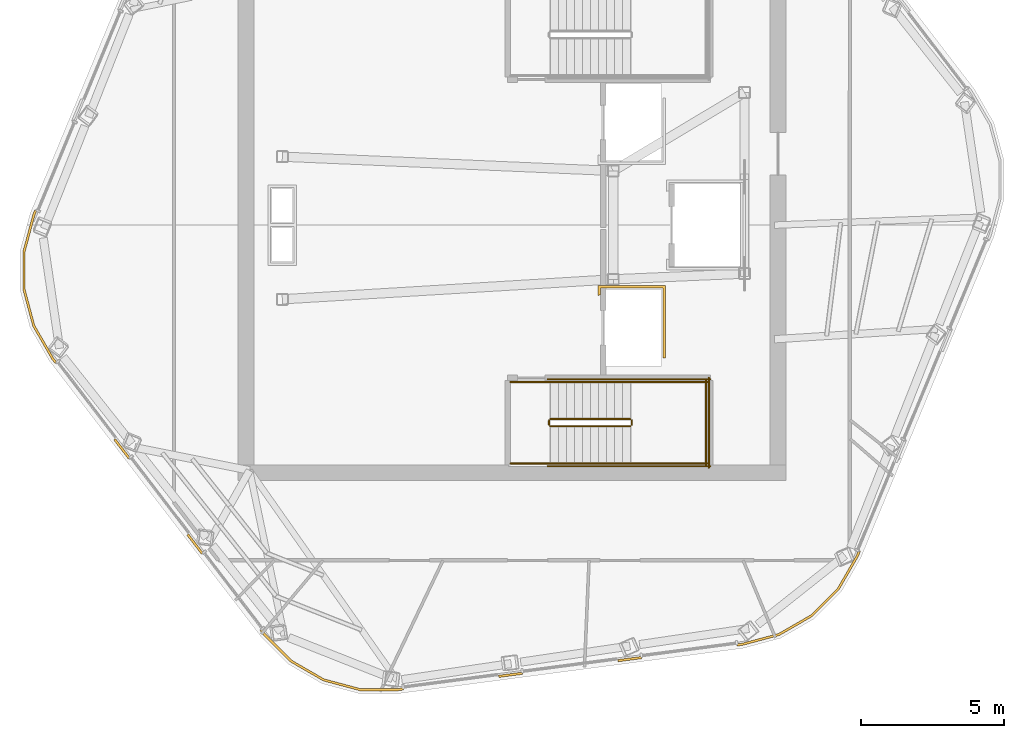
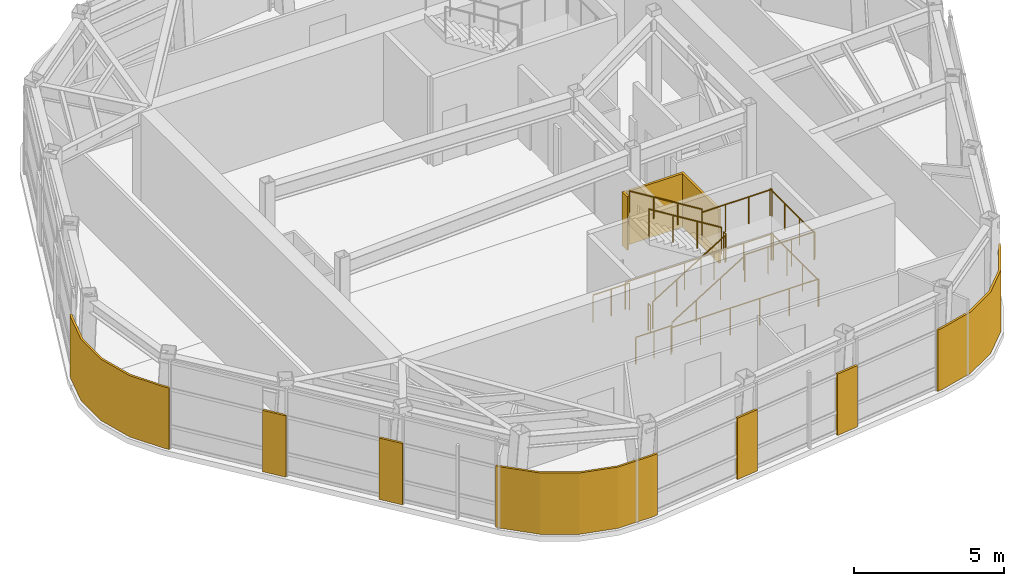
# One storey, part 7 of 9: 14 railings, 8 coverings.
"""IFC4 building model written with IfcOpenShell, lengths in metres."""

from ifc_helpers import new_model, si_unit, direction, frame, origin, origin_2d, place, context, subcontext, project, spatial, polyline, circle, outline, extrude, material, layer, layer_set, type_object, element, save


model = new_model("IFC4")

# Units and contexts
model_context = context("Model", 3, precision=1e-05, world=origin(), true_north=direction((0.0, 1.0)))
body_context = subcontext(model_context, "Body", "Model", "MODEL_VIEW")
ifc_project = project(units=[si_unit("LENGTHUNIT", "METRE"), si_unit("AREAUNIT", "SQUARE_METRE"), si_unit("VOLUMEUNIT", "CUBIC_METRE"), si_unit("PLANEANGLEUNIT", "RADIAN"), si_unit("MASSUNIT", "GRAM", prefix="KILO")], contexts=[model_context])

# Site, building, storey
site_placement = place(None, origin())
site = spatial("IfcSite", under=ifc_project, at=site_placement, CompositionType="ELEMENT")
building_placement = place(site_placement, origin())
building = spatial("IfcBuilding", under=site, at=building_placement, Name="Valkerne Bourse Tower", CompositionType="ELEMENT")
storey_placement = place(building_placement, frame((0.0, 0.0, 315.39990234375)))
storey = spatial("IfcBuildingStorey", under=building, at=storey_placement, Name="L80", CompositionType="ELEMENT", Elevation=315.39990234375)

# Coverings
ifc_material_1 = material(Name="Bronze Anodised Aluminium AA 6063-T6", Category="aluminium")
ifc_layer_1 = layer(ifc_material_1, 0.06005859375)
ifc_layer_set_1 = layer_set([ifc_layer_1], Name="Bronze Anodised Aluminium AA 6063-T6")
covering_type_1 = type_object("IfcCoveringType", Name="COV-CRN-ALUM", PredefinedType="CLADDING", material=ifc_layer_set_1)
covering_1_placement = place(storey_placement, origin())
element("IfcCovering", 1, at=covering_1_placement, inside=storey, type_object=covering_type_1, Name="L80 Wind-Shaped Corner Aluminium Cladding 04", PredefinedType="CLADDING", context=body_context, shape_type="SweptSolid", body=[
    extrude(outline(polyline([(58.9384765625, 15.37890625), (58.26953125, 14.220458984375), (57.328369140625, 13.279296875), (56.175537109375, 12.613525390625), (54.88330078125, 12.267333984375), (54.69189453125, 12.2421875), (54.681396484375, 12.321533203125), (54.86767578125, 12.345947265625), (56.14453125, 12.68798828125), (57.279296875, 13.34326171875), (58.20556640625, 14.26953125), (58.86669921875, 15.41455078125), (58.9384765625, 15.588134765625), (59.012451171875, 15.557373046875), (58.9384765625, 15.37890625)])), origin(), (0.0, 0.0, 1.0), 2.5),
])
covering_2_placement = place(storey_placement, origin())
element("IfcCovering", 2, at=covering_2_placement, inside=storey, type_object=covering_type_1, Name="L80 Wind-Shaped Corner Aluminium Cladding 05", PredefinedType="CLADDING", context=body_context, shape_type="SweptSolid", body=[
    extrude(outline(polyline([(50.515869140625, 11.6923828125), (50.50537109375, 11.771728515625), (51.338134765625, 11.88134765625), (51.3486328125, 11.802001953125), (50.515869140625, 11.6923828125)])), origin(), (0.0, 0.0, 1.0), 2.5),
])
covering_3_placement = place(storey_placement, origin())
element("IfcCovering", 3, at=covering_3_placement, inside=storey, type_object=covering_type_1, Name="L80 Wind-Shaped Corner Aluminium Cladding 06", PredefinedType="CLADDING", context=body_context, shape_type="SweptSolid", body=[
    extrude(outline(polyline([(46.33984375, 11.142578125), (46.32958984375, 11.221923828125), (47.162353515625, 11.33154296875), (47.172607421875, 11.252197265625), (46.33984375, 11.142578125)])), origin(), (0.0, 0.0, 1.0), 2.5),
])
covering_4_placement = place(storey_placement, origin())
element("IfcCovering", 4, at=covering_4_placement, inside=storey, type_object=covering_type_1, Name="L80 Wind-Shaped Corner Aluminium Cladding 07", PredefinedType="CLADDING", context=body_context, shape_type="SweptSolid", body=[
    extrude(outline(polyline([(42.80517578125, 10.67724609375), (41.46728515625, 10.67724609375), (40.181640625, 11.021728515625), (39.02880859375, 11.687255859375), (38.082763671875, 12.63330078125), (37.965087890625, 12.78662109375), (38.02880859375, 12.835205078125), (38.14306640625, 12.68603515625), (39.077880859375, 11.751220703125), (40.21240234375, 11.09619140625), (41.477783203125, 10.75732421875), (42.7998046875, 10.75732421875), (42.986328125, 10.78173828125), (42.99658203125, 10.702392578125), (42.80517578125, 10.67724609375)])), origin(), (0.0, 0.0, 1.0), 2.5),
])
covering_5_placement = place(storey_placement, origin())
element("IfcCovering", 5, at=covering_5_placement, inside=storey, type_object=covering_type_1, Name="L80 Wind-Shaped Corner Aluminium Cladding 08", PredefinedType="CLADDING", context=body_context, shape_type="SweptSolid", body=[
    extrude(outline(polyline([(35.401123046875, 16.128173828125), (35.464599609375, 16.1767578125), (35.975830078125, 15.510498046875), (35.91259765625, 15.4619140625), (35.401123046875, 16.128173828125)])), origin(), (0.0, 0.0, 1.0), 2.5),
])
covering_6_placement = place(storey_placement, origin())
element("IfcCovering", 6, at=covering_6_placement, inside=storey, type_object=covering_type_1, Name="L80 Wind-Shaped Corner Aluminium Cladding 09", PredefinedType="CLADDING", context=body_context, shape_type="SweptSolid", body=[
    extrude(outline(polyline([(32.8369140625, 19.4697265625), (32.900390625, 19.518310546875), (33.411865234375, 18.85205078125), (33.348388671875, 18.803466796875), (32.8369140625, 19.4697265625)])), origin(), (0.0, 0.0, 1.0), 2.5),
])
covering_7_placement = place(storey_placement, origin())
element("IfcCovering", 7, at=covering_7_placement, inside=storey, type_object=covering_type_1, Name="L80 Wind-Shaped Corner Aluminium Cladding 10", PredefinedType="CLADDING", context=body_context, shape_type="SweptSolid", body=[
    extrude(outline(polyline([(30.66650390625, 22.29833984375), (29.997802734375, 23.456787109375), (29.6533203125, 24.74267578125), (29.6533203125, 26.07373046875), (29.99951171875, 27.365966796875), (30.073486328125, 27.544189453125), (30.147216796875, 27.513671875), (30.075439453125, 27.340087890625), (29.7333984375, 26.063232421875), (29.7333984375, 24.753173828125), (30.072265625, 23.48779296875), (30.7333984375, 22.3427734375), (30.84765625, 22.193603515625), (30.7841796875, 22.14501953125), (30.66650390625, 22.29833984375)])), origin(), (0.0, 0.0, 1.0), 2.5),
])
ifc_material_2 = material(Name="Gypsum Shaftwall Liner Board", Category="gypsum")
ifc_layer_2 = layer(ifc_material_2, 0.080078125)
ifc_layer_set_2 = layer_set([ifc_layer_2], Name="Gypsum Shaftwall Liner Board")
covering_type_2 = type_object("IfcCoveringType", Name="COV-SHF-CLAD", PredefinedType="CLADDING", material=ifc_layer_set_2)
covering_8_placement = place(storey_placement, origin())
element("IfcCovering", 8, at=covering_8_placement, inside=storey, type_object=covering_type_2, Name="L80 Hoistway & Riser Shaftwall Liner 01", PredefinedType="CLADDING", context=body_context, shape_type="SweptSolid", body=[
    extrude(outline(polyline([(52.179931640625, 24.8798828125), (52.179931640625, 22.35009765625), (52.090087890625, 22.35009765625), (52.090087890625, 24.7900390625), (49.909912109375, 24.7900390625), (49.909912109375, 24.560791015625), (49.869384765625, 24.550537109375), (49.827880859375, 24.53564453125), (49.820068359375, 24.531982421875), (49.820068359375, 24.8798828125), (52.179931640625, 24.8798828125)])), origin(), (0.0, 0.0, 1.0), 2.18017578125),
])

# Railings
ifc_material_3 = material(Name="Galvanised Painted Steel", Category="steel")
railing_type_1 = type_object("IfcRailingType", Name="RLG-ST-GUARD-1120", PredefinedType="GUARDRAIL", material=ifc_material_3)
railing_1_placement = place(storey_placement, frame((48.14990234375, 19.949951171875, 0.1728515625)))
element("IfcRailing", 9, at=railing_1_placement, inside=storey, type_object=railing_type_1, Name="L80 ST-1 stair guard 1", PredefinedType="GUARDRAIL", context=body_context, shape_type="SweptSolid", body=[
    extrude(circle(Radius=0.02392578125, at=origin_2d()), frame((0.0, 0.0, 1.09619140625), z_axis=(0.851089632645, 0.0, 0.525020415988), x_axis=(0.0, 1.0, 0.0)), (0.0, 0.0, 1.0), 3.2900390625),
    extrude(circle(Radius=0.02099609375, at=origin_2d()), origin(), (0.0, 0.0, 1.0), 1.072021484375),
    extrude(circle(Radius=0.02099609375, at=origin_2d()), frame((0.933349609375, 0.0, 0.57568359375)), (0.0, 0.0, 1.0), 1.072021484375),
    extrude(circle(Radius=0.02099609375, at=origin_2d()), frame((1.86669921875, 0.0, 1.151611328125)), (0.0, 0.0, 1.0), 1.072021484375),
    extrude(circle(Radius=0.02099609375, at=origin_2d()), frame((2.800048828125, 0.0, 1.727294921875)), (0.0, 0.0, 1.0), 1.072021484375),
])
railing_2_placement = place(storey_placement, frame((51.0, 20.0, 1.900146484375)))
element("IfcRailing", 10, at=railing_2_placement, inside=storey, type_object=railing_type_1, Name="L80 ST-1 stair guard 2", PredefinedType="GUARDRAIL", context=body_context, shape_type="SweptSolid", body=[
    extrude(circle(Radius=0.02392578125, at=origin_2d()), frame((0.0, 0.0, 1.09619140625), z_axis=(0.0, 1.0, 0.0), x_axis=(-1.0, 0.0, 0.0)), (0.0, 0.0, 1.0), 0.14990234375),
    extrude(circle(Radius=0.02099609375, at=origin_2d()), origin(), (0.0, 0.0, 1.0), 1.072021484375),
    extrude(circle(Radius=0.02099609375, at=origin_2d()), frame((0.0, 0.14990234375, 0.0)), (0.0, 0.0, 1.0), 1.072021484375),
])
for number, where, name in (
    (11, (50.949951171875, 18.64990234375, 1.900146484375), "L80 ST-1 stair guard 3"),
    (12, (50.949951171875, 21.5, 1.900146484375), "L80 ST-1 stair guard 4"),
):
    element("IfcRailing", number, at=place(storey_placement, frame(where)), inside=storey, type_object=railing_type_1, Name=name, PredefinedType="GUARDRAIL", context=body_context, shape_type="SweptSolid", body=[
        extrude(circle(Radius=0.02392578125, at=origin_2d()), frame((0.0, 0.0, 1.09619140625), z_axis=(1.0, 0.0, 0.0), x_axis=(0.0, 1.0, 0.0)), (0.0, 0.0, 1.0), 2.699951171875),
        extrude(circle(Radius=0.02099609375, at=origin_2d()), origin(), (0.0, 0.0, 1.0), 1.072021484375),
        extrude(circle(Radius=0.02099609375, at=origin_2d()), frame((0.89990234375, 0.0, 0.0)), (0.0, 0.0, 1.0), 1.072021484375),
        extrude(circle(Radius=0.02099609375, at=origin_2d()), frame((1.800048828125, 0.0, 0.0)), (0.0, 0.0, 1.0), 1.072021484375),
        extrude(circle(Radius=0.02099609375, at=origin_2d()), frame((2.699951171875, 0.0, 0.0)), (0.0, 0.0, 1.0), 1.072021484375),
    ])
railing_3_placement = place(storey_placement, frame((53.60009765625, 18.60009765625, 1.900146484375)))
element("IfcRailing", 13, at=railing_3_placement, inside=storey, type_object=railing_type_1, Name="L80 ST-1 stair guard 5", PredefinedType="GUARDRAIL", context=body_context, shape_type="SweptSolid", body=[
    extrude(circle(Radius=0.02392578125, at=origin_2d()), frame((0.0, 0.0, 1.09619140625), z_axis=(0.0, 1.0, 0.0), x_axis=(-1.0, 0.0, 0.0)), (0.0, 0.0, 1.0), 2.949951171875),
    extrude(circle(Radius=0.02099609375, at=origin_2d()), origin(), (0.0, 0.0, 1.0), 1.072021484375),
    extrude(circle(Radius=0.02099609375, at=origin_2d()), frame((0.0, 0.9833984375, 0.0)), (0.0, 0.0, 1.0), 1.072021484375),
    extrude(circle(Radius=0.02099609375, at=origin_2d()), frame((0.0, 1.966552734375, 0.0)), (0.0, 0.0, 1.0), 1.072021484375),
    extrude(circle(Radius=0.02099609375, at=origin_2d()), frame((0.0, 2.949951171875, 0.0)), (0.0, 0.0, 1.0), 1.072021484375),
])
railing_4_placement = place(storey_placement, frame((50.949951171875, 20.199951171875, 2.07275390625)))
element("IfcRailing", 14, at=railing_4_placement, inside=storey, type_object=railing_type_1, Name="L80 ST-1 stair guard 6", PredefinedType="GUARDRAIL", context=body_context, shape_type="SweptSolid", body=[
    extrude(circle(Radius=0.02392578125, at=origin_2d()), frame((0.0, 0.0, 1.09619140625), z_axis=(-0.851089632645, 0.0, 0.525020415988), x_axis=(0.0, -1.0, 0.0)), (0.0, 0.0, 1.0), 3.2900390625),
    extrude(circle(Radius=0.02099609375, at=origin_2d()), origin(), (0.0, 0.0, 1.0), 1.072021484375),
    extrude(circle(Radius=0.02099609375, at=origin_2d()), frame((-0.933349609375, 0.0, 0.57568359375)), (0.0, 0.0, 1.0), 1.072021484375),
    extrude(circle(Radius=0.02099609375, at=origin_2d()), frame((-1.86669921875, 0.0, 1.151611328125)), (0.0, 0.0, 1.0), 1.072021484375),
    extrude(circle(Radius=0.02099609375, at=origin_2d()), frame((-2.800048828125, 0.0, 1.727294921875)), (0.0, 0.0, 1.0), 1.072021484375),
])
railing_5_placement = place(storey_placement, frame((48.10009765625, 20.0, 0.0)))
element("IfcRailing", 15, at=railing_5_placement, inside=storey, type_object=railing_type_1, Name="L80 ST-1 stair guard 7", PredefinedType="GUARDRAIL", context=body_context, shape_type="SweptSolid", body=[
    extrude(circle(Radius=0.02392578125, at=origin_2d()), frame((0.0, 0.0, 1.09619140625), z_axis=(0.0, 1.0, 0.0), x_axis=(-1.0, 0.0, 0.0)), (0.0, 0.0, 1.0), 0.14990234375),
    extrude(circle(Radius=0.02099609375, at=origin_2d()), origin(), (0.0, 0.0, 1.0), 1.072021484375),
    extrude(circle(Radius=0.02099609375, at=origin_2d()), frame((0.0, 0.14990234375, 0.0)), (0.0, 0.0, 1.0), 1.072021484375),
])
for number, where, name in (
    (16, (46.75, 18.64990234375, 0.0), "L80 ST-1 stair guard 8"),
    (17, (46.75, 21.5, 0.0), "L80 ST-1 stair guard 9"),
):
    element("IfcRailing", number, at=place(storey_placement, frame(where)), inside=storey, type_object=railing_type_1, Name=name, PredefinedType="GUARDRAIL", context=body_context, shape_type="SweptSolid", body=[
        extrude(circle(Radius=0.02392578125, at=origin_2d()), frame((0.0, 0.0, 1.09619140625), z_axis=(1.0, 0.0, 0.0), x_axis=(0.0, 1.0, 0.0)), (0.0, 0.0, 1.0), 1.39990234375),
        extrude(circle(Radius=0.02099609375, at=origin_2d()), origin(), (0.0, 0.0, 1.0), 1.072021484375),
        extrude(circle(Radius=0.02099609375, at=origin_2d()), frame((0.699951171875, 0.0, 0.0)), (0.0, 0.0, 1.0), 1.072021484375),
        extrude(circle(Radius=0.02099609375, at=origin_2d()), frame((1.39990234375, 0.0, 0.0)), (0.0, 0.0, 1.0), 1.072021484375),
    ])
for number, where, name in (
    (18, (48.050048828125, 18.550048828125, 0.0), "L80 ST-1 stair guard 10"),
    (19, (48.050048828125, 21.60009765625, 0.0), "L80 ST-1 stair guard 11"),
):
    element("IfcRailing", number, at=place(storey_placement, frame(where)), inside=storey, type_object=railing_type_1, Name=name, PredefinedType="GUARDRAIL", context=body_context, shape_type="SweptSolid", body=[
        extrude(circle(Radius=0.02392578125, at=origin_2d()), frame((0.0, 0.0, 1.09619140625), z_axis=(1.0, 0.0, 0.0), x_axis=(0.0, 1.0, 0.0)), (0.0, 0.0, 1.0), 5.699951171875),
        extrude(circle(Radius=0.02099609375, at=origin_2d()), origin(), (0.0, 0.0, 1.0), 1.072021484375),
        extrude(circle(Radius=0.02099609375, at=origin_2d()), frame((1.139892578125, 0.0, 0.0)), (0.0, 0.0, 1.0), 1.072021484375),
        extrude(circle(Radius=0.02099609375, at=origin_2d()), frame((2.280029296875, 0.0, 0.0)), (0.0, 0.0, 1.0), 1.072021484375),
        extrude(circle(Radius=0.02099609375, at=origin_2d()), frame((3.419921875, 0.0, 0.0)), (0.0, 0.0, 1.0), 1.072021484375),
        extrude(circle(Radius=0.02099609375, at=origin_2d()), frame((4.56005859375, 0.0, 0.0)), (0.0, 0.0, 1.0), 1.072021484375),
        extrude(circle(Radius=0.02099609375, at=origin_2d()), frame((5.699951171875, 0.0, 0.0)), (0.0, 0.0, 1.0), 1.072021484375),
    ])
railing_6_placement = place(storey_placement, frame((53.699951171875, 18.5, 0.0)))
element("IfcRailing", 20, at=railing_6_placement, inside=storey, type_object=railing_type_1, Name="L80 ST-1 stair guard 12", PredefinedType="GUARDRAIL", context=body_context, shape_type="SweptSolid", body=[
    extrude(circle(Radius=0.02392578125, at=origin_2d()), frame((0.0, 0.0, 1.09619140625), z_axis=(0.0, 1.0, 0.0), x_axis=(-1.0, 0.0, 0.0)), (0.0, 0.0, 1.0), 3.14990234375),
    extrude(circle(Radius=0.02099609375, at=origin_2d()), origin(), (0.0, 0.0, 1.0), 1.072021484375),
    extrude(circle(Radius=0.02099609375, at=origin_2d()), frame((0.0, 1.050048828125, 0.0)), (0.0, 0.0, 1.0), 1.072021484375),
    extrude(circle(Radius=0.02099609375, at=origin_2d()), frame((0.0, 2.099853515625, 0.0)), (0.0, 0.0, 1.0), 1.072021484375),
    extrude(circle(Radius=0.02099609375, at=origin_2d()), frame((0.0, 3.14990234375, 0.0)), (0.0, 0.0, 1.0), 1.072021484375),
])
ifc_material_4 = material(Name="Stainless Steel AISI 316", Category="steel")
railing_type_2 = type_object("IfcRailingType", Name="RLG-ST-HANDRAIL-900", PredefinedType="HANDRAIL", material=ifc_material_4)
railing_7_placement = place(storey_placement, frame((48.14990234375, 18.64990234375, 0.345458984375)))
element("IfcRailing", 21, at=railing_7_placement, inside=storey, type_object=railing_type_2, Name="L80 ST-1 stair handrail 1", PredefinedType="HANDRAIL", context=body_context, shape_type="SweptSolid", body=[
    extrude(circle(Radius=0.02392578125, at=origin_2d()), frame((0.0, 0.0, 0.8759765625), z_axis=(0.851089632645, 0.0, 0.525020415988), x_axis=(0.0, 1.0, 0.0)), (0.0, 0.0, 1.0), 3.2900390625),
    extrude(circle(Radius=0.02099609375, at=origin_2d()), origin(), (0.0, 0.0, 1.0), 0.851806640625),
    extrude(circle(Radius=0.02099609375, at=origin_2d()), frame((0.933349609375, 0.0, 0.57568359375)), (0.0, 0.0, 1.0), 0.851806640625),
    extrude(circle(Radius=0.02099609375, at=origin_2d()), frame((1.86669921875, 0.0, 1.151611328125)), (0.0, 0.0, 1.0), 0.851806640625),
    extrude(circle(Radius=0.02099609375, at=origin_2d()), frame((2.800048828125, 0.0, 1.727294921875)), (0.0, 0.0, 1.0), 0.851806640625),
])
railing_8_placement = place(storey_placement, frame((50.949951171875, 21.5, 2.24560546875)))
element("IfcRailing", 22, at=railing_8_placement, inside=storey, type_object=railing_type_2, Name="L80 ST-1 stair handrail 2", PredefinedType="HANDRAIL", context=body_context, shape_type="SweptSolid", body=[
    extrude(circle(Radius=0.02392578125, at=origin_2d()), frame((0.0, 0.0, 0.8759765625), z_axis=(-0.851089632645, 0.0, 0.525020415988), x_axis=(0.0, -1.0, 0.0)), (0.0, 0.0, 1.0), 3.2900390625),
    extrude(circle(Radius=0.02099609375, at=origin_2d()), origin(), (0.0, 0.0, 1.0), 0.851806640625),
    extrude(circle(Radius=0.02099609375, at=origin_2d()), frame((-0.933349609375, 0.0, 0.57568359375)), (0.0, 0.0, 1.0), 0.851806640625),
    extrude(circle(Radius=0.02099609375, at=origin_2d()), frame((-1.86669921875, 0.0, 1.151611328125)), (0.0, 0.0, 1.0), 0.851806640625),
    extrude(circle(Radius=0.02099609375, at=origin_2d()), frame((-2.800048828125, 0.0, 1.727294921875)), (0.0, 0.0, 1.0), 0.851806640625),
])

save(model, "model.ifc")
